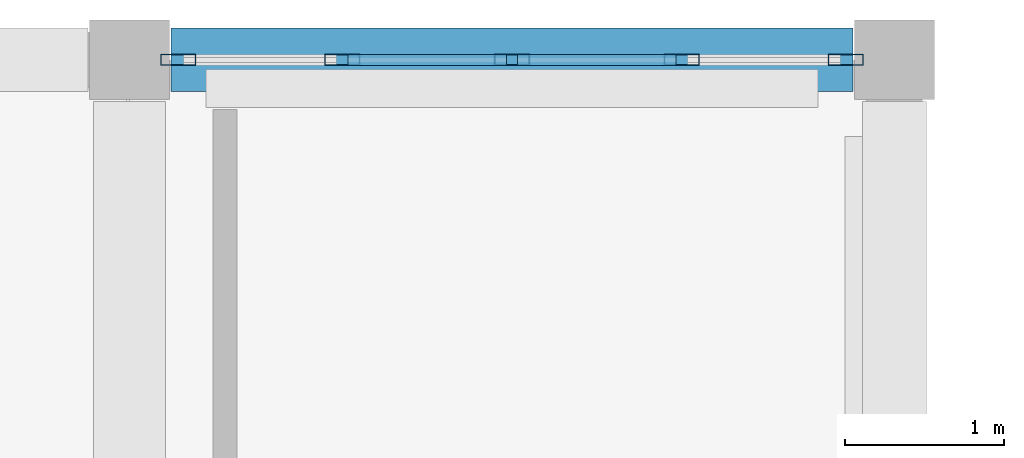
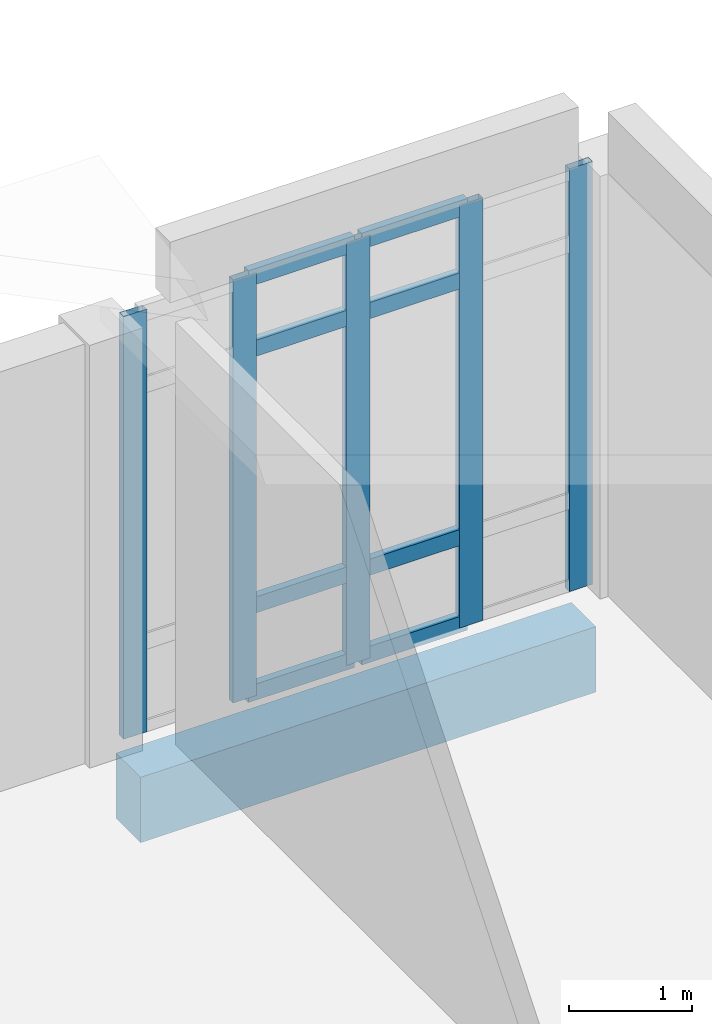
# One storey, part 104 of 164: 13 members, 1 beam, 1 element without a shape of its own.
"""IFC4 building model written with IfcOpenShell, lengths in metres."""

from ifc_helpers import new_model, si_unit, direction, frame, origin, origin_2d, place, context, subcontext, project, spatial, rectangle, hollow_rectangle, extrude, material, layer, layer_set, material_profile, profile_set, type_object, element, aggregate, save


model = new_model("IFC4")

# Units and contexts
model_context = context("Model", 3, precision=1e-05, world=origin(), true_north=direction((0.0, 1.0)))
body_context = subcontext(model_context, "Body", "Model", "MODEL_VIEW")
ifc_project = project(units=[si_unit("LENGTHUNIT", "METRE"), si_unit("AREAUNIT", "SQUARE_METRE"), si_unit("VOLUMEUNIT", "CUBIC_METRE"), si_unit("PLANEANGLEUNIT", "RADIAN"), si_unit("MASSUNIT", "GRAM", prefix="KILO")], contexts=[model_context])

# Site, building, storey
site_placement = place(None, origin())
site = spatial("IfcSite", under=ifc_project, at=site_placement, CompositionType="ELEMENT")
building_placement = place(site_placement, origin())
building = spatial("IfcBuilding", under=site, at=building_placement, Name="Mawjan Specialist Oncology Clinic", CompositionType="ELEMENT")
storey_placement = place(building_placement, frame((0.0, 0.0, 5.0)))
storey = spatial("IfcBuildingStorey", under=building, at=storey_placement, Name="L01", CompositionType="ELEMENT", Elevation=5.0)

# Curtain wall, members
ifc_material_1 = material(Name="Unitised spectrally selective aluminium curtain wall", Category="aluminium")
ifc_layer = layer(ifc_material_1, 0.179931640625, Name="Unitised spectrally selective aluminium curtain wall", Category="aluminium")
ifc_layer_set = layer_set([ifc_layer], Name="Unitised spectrally selective aluminium curtain wall")
curtain_wall_type = type_object("IfcCurtainWallType", Name="CW-64", PredefinedType="NOTDEFINED", material=ifc_layer_set)
curtain_wall_placement = place(storey_placement, origin())
curtain_wall = element("IfcCurtainWall", 1, at=curtain_wall_placement, inside=storey, type_object=curtain_wall_type, Name="L01 Unitised Curtain Wall CW-L01-123", PredefinedType="NOTDEFINED")
ifc_material_2 = material(Name="Thermally broken aluminium 6063-T6", Category="aluminium")
ifc_material_profile_1 = material_profile(ifc_material_2, hollow_rectangle(XDim=0.070068359375, YDim=0.219970703125, WallThickness=0.00390625, at=origin_2d()), Name="ALU MULLION 220x70x4", Category="aluminium")
ifc_profile_set_1 = profile_set([ifc_material_profile_1], Name="Thermally broken aluminium 6063-T6")
member_type_1 = type_object("IfcMemberType", Name="CW-M220", PredefinedType="MULLION", material=ifc_profile_set_1)
member_1_placement = place(storey_placement, frame((98.705078125, 113.300048828125, 0.0), z_axis=(0.0, 0.0, 1.0), x_axis=(0.0, 1.0, 0.0)))
member_1 = element("IfcMember", 2, at=member_1_placement, type_object=member_type_1, Name="CW-64 mullion 1", PredefinedType="MULLION", context=body_context, shape_type="SweptSolid", body=[
    extrude(hollow_rectangle(XDim=0.070068359375, YDim=0.219970703125, WallThickness=0.00390625, at=origin_2d()), origin(), (0.0, 0.0, 1.0), 4.199951171875),
])
member_2_placement = place(storey_placement, frame((99.735107421875, 113.300048828125, 0.0), z_axis=(0.0, 0.0, 1.0), x_axis=(0.0, 1.0, 0.0)))
member_2 = element("IfcMember", 3, at=member_2_placement, type_object=member_type_1, Name="CW-64 mullion 2", PredefinedType="MULLION", context=body_context, shape_type="SweptSolid", body=[
    extrude(hollow_rectangle(XDim=0.070068359375, YDim=0.219970703125, WallThickness=0.00390625, at=origin_2d()), origin(), (0.0, 0.0, 1.0), 4.199951171875),
])
member_3_placement = place(storey_placement, frame((100.800048828125, 113.300048828125, 0.0), z_axis=(0.0, 0.0, 1.0), x_axis=(0.0, 1.0, 0.0)))
member_3 = element("IfcMember", 4, at=member_3_placement, type_object=member_type_1, Name="CW-64 mullion 3", PredefinedType="MULLION", context=body_context, shape_type="SweptSolid", body=[
    extrude(hollow_rectangle(XDim=0.070068359375, YDim=0.219970703125, WallThickness=0.00390625, at=origin_2d()), origin(), (0.0, 0.0, 1.0), 4.199951171875),
])
member_4_placement = place(storey_placement, frame((101.864990234375, 113.300048828125, 0.0), z_axis=(0.0, 0.0, 1.0), x_axis=(0.0, 1.0, 0.0)))
member_4 = element("IfcMember", 5, at=member_4_placement, type_object=member_type_1, Name="CW-64 mullion 4", PredefinedType="MULLION", context=body_context, shape_type="SweptSolid", body=[
    extrude(hollow_rectangle(XDim=0.070068359375, YDim=0.219970703125, WallThickness=0.00390625, at=origin_2d()), origin(), (0.0, 0.0, 1.0), 4.199951171875),
])
member_5_placement = place(storey_placement, frame((102.89501953125, 113.300048828125, 0.0), z_axis=(0.0, 0.0, 1.0), x_axis=(0.0, 1.0, 0.0)))
member_5 = element("IfcMember", 6, at=member_5_placement, type_object=member_type_1, Name="CW-64 mullion 5", PredefinedType="MULLION", context=body_context, shape_type="SweptSolid", body=[
    extrude(hollow_rectangle(XDim=0.070068359375, YDim=0.219970703125, WallThickness=0.00390625, at=origin_2d()), origin(), (0.0, 0.0, 1.0), 4.199951171875),
])
ifc_material_3 = material(Name="Thermally broken aluminium 6063-T6", Category="aluminium")
ifc_material_profile_2 = material_profile(ifc_material_3, hollow_rectangle(XDim=0.070068359375, YDim=0.159912109375, WallThickness=0.00390625, at=origin_2d()), Name="ALU TRANSOM 160x70x4", Category="aluminium")
ifc_profile_set_2 = profile_set([ifc_material_profile_2], Name="Thermally broken aluminium 6063-T6")
member_type_2 = type_object("IfcMemberType", Name="CW-T160", PredefinedType="USERDEFINED", material=ifc_profile_set_2)
member_6_placement = place(storey_placement, frame((99.77001953125, 113.300048828125, 0.034912109375), z_axis=(1.0, 0.0, 0.0), x_axis=(0.0, 1.0, 0.0)))
member_6 = element("IfcMember", 7, at=member_6_placement, type_object=member_type_2, Name="CW-64 transom 2.1", ObjectType="TRANSOM", PredefinedType="USERDEFINED", context=body_context, shape_type="SweptSolid", body=[
    extrude(hollow_rectangle(XDim=0.070068359375, YDim=0.159912109375, WallThickness=0.00390625, at=origin_2d()), origin(), (0.0, 0.0, 1.0), 0.994873046875),
])
member_7_placement = place(storey_placement, frame((99.77001953125, 113.300048828125, 0.89990234375), z_axis=(1.0, 0.0, 0.0), x_axis=(0.0, 1.0, 0.0)))
member_7 = element("IfcMember", 8, at=member_7_placement, type_object=member_type_2, Name="CW-64 transom 2.2", ObjectType="TRANSOM", PredefinedType="USERDEFINED", context=body_context, shape_type="SweptSolid", body=[
    extrude(hollow_rectangle(XDim=0.070068359375, YDim=0.159912109375, WallThickness=0.00390625, at=origin_2d()), origin(), (0.0, 0.0, 1.0), 0.994873046875),
])
member_8_placement = place(storey_placement, frame((99.77001953125, 113.300048828125, 3.449951171875), z_axis=(1.0, 0.0, 0.0), x_axis=(0.0, 1.0, 0.0)))
member_8 = element("IfcMember", 9, at=member_8_placement, type_object=member_type_2, Name="CW-64 transom 2.3", ObjectType="TRANSOM", PredefinedType="USERDEFINED", context=body_context, shape_type="SweptSolid", body=[
    extrude(hollow_rectangle(XDim=0.070068359375, YDim=0.159912109375, WallThickness=0.00390625, at=origin_2d()), origin(), (0.0, 0.0, 1.0), 0.994873046875),
])
member_9_placement = place(storey_placement, frame((99.77001953125, 113.300048828125, 4.1650390625), z_axis=(1.0, 0.0, 0.0), x_axis=(0.0, 1.0, 0.0)))
member_9 = element("IfcMember", 10, at=member_9_placement, type_object=member_type_2, Name="CW-64 transom 2.4", ObjectType="TRANSOM", PredefinedType="USERDEFINED", context=body_context, shape_type="SweptSolid", body=[
    extrude(hollow_rectangle(XDim=0.070068359375, YDim=0.159912109375, WallThickness=0.00390625, at=origin_2d()), origin(), (0.0, 0.0, 1.0), 0.994873046875),
])
member_10_placement = place(storey_placement, frame((100.8349609375, 113.300048828125, 0.034912109375), z_axis=(1.0, 0.0, 0.0), x_axis=(0.0, 1.0, 0.0)))
member_10 = element("IfcMember", 11, at=member_10_placement, type_object=member_type_2, Name="CW-64 transom 3.1", ObjectType="TRANSOM", PredefinedType="USERDEFINED", context=body_context, shape_type="SweptSolid", body=[
    extrude(hollow_rectangle(XDim=0.070068359375, YDim=0.159912109375, WallThickness=0.00390625, at=origin_2d()), origin(), (0.0, 0.0, 1.0), 0.9951171875),
])
member_11_placement = place(storey_placement, frame((100.8349609375, 113.300048828125, 0.89990234375), z_axis=(1.0, 0.0, 0.0), x_axis=(0.0, 1.0, 0.0)))
member_11 = element("IfcMember", 12, at=member_11_placement, type_object=member_type_2, Name="CW-64 transom 3.2", ObjectType="TRANSOM", PredefinedType="USERDEFINED", context=body_context, shape_type="SweptSolid", body=[
    extrude(hollow_rectangle(XDim=0.070068359375, YDim=0.159912109375, WallThickness=0.00390625, at=origin_2d()), origin(), (0.0, 0.0, 1.0), 0.9951171875),
])
member_12_placement = place(storey_placement, frame((100.8349609375, 113.300048828125, 3.449951171875), z_axis=(1.0, 0.0, 0.0), x_axis=(0.0, 1.0, 0.0)))
member_12 = element("IfcMember", 13, at=member_12_placement, type_object=member_type_2, Name="CW-64 transom 3.3", ObjectType="TRANSOM", PredefinedType="USERDEFINED", context=body_context, shape_type="SweptSolid", body=[
    extrude(hollow_rectangle(XDim=0.070068359375, YDim=0.159912109375, WallThickness=0.00390625, at=origin_2d()), origin(), (0.0, 0.0, 1.0), 0.9951171875),
])
member_13_placement = place(storey_placement, frame((100.8349609375, 113.300048828125, 4.1650390625), z_axis=(1.0, 0.0, 0.0), x_axis=(0.0, 1.0, 0.0)))
member_13 = element("IfcMember", 14, at=member_13_placement, type_object=member_type_2, Name="CW-64 transom 3.4", ObjectType="TRANSOM", PredefinedType="USERDEFINED", context=body_context, shape_type="SweptSolid", body=[
    extrude(hollow_rectangle(XDim=0.070068359375, YDim=0.159912109375, WallThickness=0.00390625, at=origin_2d()), origin(), (0.0, 0.0, 1.0), 0.9951171875),
])
aggregate(curtain_wall, [member_1, member_2, member_3, member_4, member_5, member_6, member_7, member_8, member_9, member_10, member_11, member_12, member_13])

# Beam
ifc_material_4 = material(Name="Concrete C45/55", Category="concrete")
ifc_material_profile_3 = material_profile(ifc_material_4, rectangle(XDim=0.39990234375, YDim=0.64990234375, at=origin_2d()), Name="RC BM 400x650", Category="concrete")
ifc_profile_set_3 = profile_set([ifc_material_profile_3], Name="Concrete C45/55")
beam_type = type_object("IfcBeamType", Name="SP-400x650", PredefinedType="SPANDREL", material=ifc_profile_set_3)
beam_placement = place(storey_placement, frame((98.659912109375, 113.300048828125, -0.625), z_axis=(1.0, 0.0, 0.0), x_axis=(0.0, 1.0, 0.0)))
element("IfcBeam", 15, at=beam_placement, inside=storey, type_object=beam_type, Name="L01 Spandrel Beam BM-L01-0417", PredefinedType="SPANDREL", context=body_context, shape_type="SweptSolid", body=[
    extrude(rectangle(XDim=0.39990234375, YDim=0.64990234375, at=origin_2d()), origin(), (0.0, 0.0, 1.0), 4.280029296875),
])

save(model, "model.ifc")
